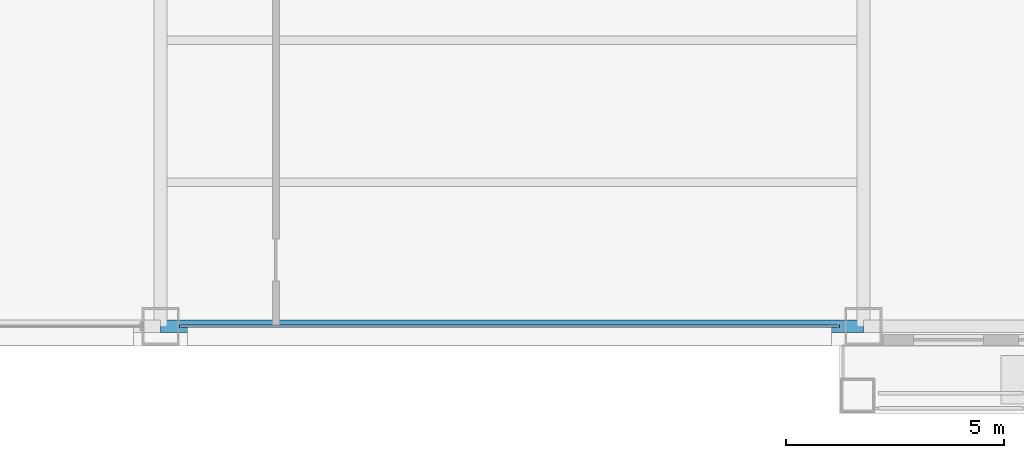
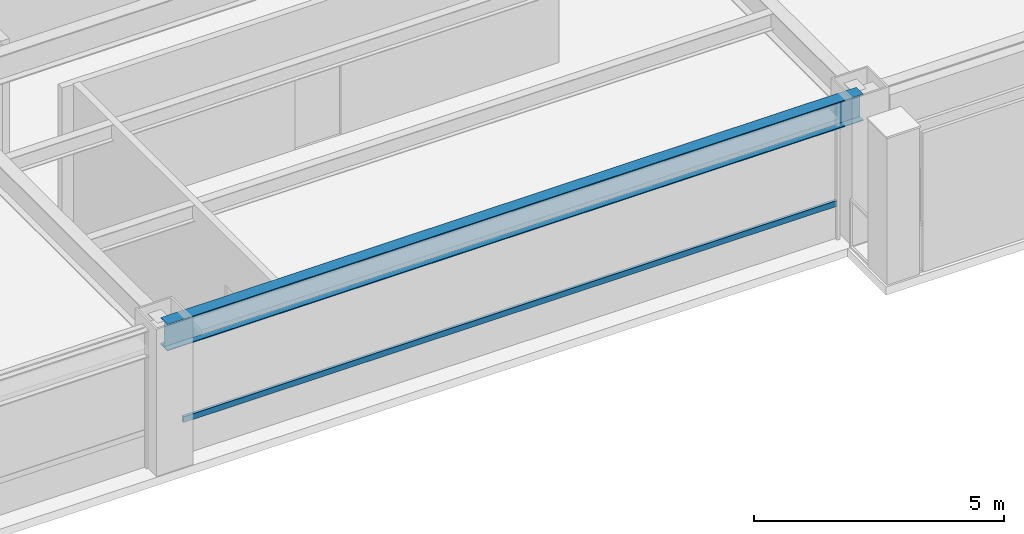
# One storey, part 6 of 31: 1 beam, 1 member, 1 element without a shape of its own.
"""IFC4 building model written with IfcOpenShell, lengths in metres."""

from ifc_helpers import new_model, si_unit, direction, frame, origin, origin_2d, place, context, subcontext, project, spatial, hollow_rectangle, i_section, extrude, material, layer, layer_set, material_profile, profile_set, type_object, element, aggregate, save


model = new_model("IFC4")

# Units and contexts
model_context = context("Model", 3, precision=1e-05, world=origin(), true_north=direction((0.0, 1.0)))
body_context = subcontext(model_context, "Body", "Model", "MODEL_VIEW")
ifc_project = project(units=[si_unit("LENGTHUNIT", "METRE"), si_unit("AREAUNIT", "SQUARE_METRE"), si_unit("VOLUMEUNIT", "CUBIC_METRE"), si_unit("PLANEANGLEUNIT", "RADIAN"), si_unit("MASSUNIT", "GRAM", prefix="KILO")], contexts=[model_context])

# Site, building, storey
site_placement = place(None, origin())
site = spatial("IfcSite", under=ifc_project, at=site_placement, CompositionType="ELEMENT")
building_placement = place(site_placement, origin())
building = spatial("IfcBuilding", under=site, at=building_placement, Name="Brelmoor Portico Tower", CompositionType="ELEMENT")
storey_placement = place(building_placement, frame((0.0, 0.0, 106.199951171875)))
storey = spatial("IfcBuildingStorey", under=building, at=storey_placement, Name="L27", CompositionType="ELEMENT", Elevation=106.199951171875)

# Beam
ifc_material_1 = material(Name="Steel Q355B", Category="steel")
ifc_material_profile_1 = material_profile(ifc_material_1, i_section(OverallWidth=0.280029296875, OverallDepth=0.64990234375, WebThickness=0.012939453125, FlangeThickness=0.02197265625, at=origin_2d()), Name="HN 650x280x13x22")
ifc_profile_set_1 = profile_set([ifc_material_profile_1], Name="Steel Q355B")
beam_type = type_object("IfcBeamType", Name="BM-SP-650", PredefinedType="SPANDREL", material=ifc_profile_set_1)
beam_placement = place(storey_placement, frame((-8.050048828125, -19.550048828125, 3.074951171875), z_axis=(1.0, 0.0, 0.0), x_axis=(0.0, 1.0, 0.0)))
element("IfcBeam", 1, at=beam_placement, inside=storey, type_object=beam_type, Name="L27 Perimeter Spandrel Beam SP-03", PredefinedType="SPANDREL", context=body_context, shape_type="SweptSolid", body=[
    extrude(i_section(OverallWidth=0.280029296875, OverallDepth=0.64990234375, WebThickness=0.012939453125, FlangeThickness=0.02197265625, at=origin_2d()), origin(), (0.0, 0.0, 1.0), 16.10009765625),
])

# Curtain wall, member
ifc_material_2 = material(Name="Anodised Aluminium Alloy 6063-T6", Category="aluminium")
ifc_layer = layer(ifc_material_2, 0.179931640625)
ifc_layer_set = layer_set([ifc_layer], Name="Anodised Aluminium Alloy 6063-T6")
curtain_wall_type = type_object("IfcCurtainWallType", Name="CW-TOWER-Z2", PredefinedType="NOTDEFINED", material=ifc_layer_set)
curtain_wall_placement = place(storey_placement, origin())
curtain_wall = element("IfcCurtainWall", 2, at=curtain_wall_placement, inside=storey, type_object=curtain_wall_type, Name="L27 Curtain Wall CW-L27-1L-3", PredefinedType="NOTDEFINED")
ifc_material_profile_2 = material_profile(ifc_material_2, hollow_rectangle(XDim=0.06494140625, YDim=0.139892578125, WallThickness=0.00390625, at=origin_2d()), Name="ALU TRANSOM 65x140")
ifc_profile_set_2 = profile_set([ifc_material_profile_2], Name="Anodised Aluminium Alloy 6063-T6")
member_type = type_object("IfcMemberType", Name="MB-CW-TRAN-140", PredefinedType="USERDEFINED", material=ifc_profile_set_2)
member_placement = place(storey_placement, frame((-7.614990234375, -19.550048828125, 0.85009765625), z_axis=(1.0, 0.0, 0.0), x_axis=(0.0, 1.0, 0.0)))
member = element("IfcMember", 3, at=member_placement, type_object=member_type, Name="CW-L27-1L-3 Transom 1-00", ObjectType="TRANSOM", PredefinedType="USERDEFINED", context=body_context, shape_type="SweptSolid", body=[
    extrude(hollow_rectangle(XDim=0.06494140625, YDim=0.139892578125, WallThickness=0.00390625, at=origin_2d()), origin(), (0.0, 0.0, 1.0), 15.114990234375),
])
aggregate(curtain_wall, [member])

save(model, "model.ifc")
